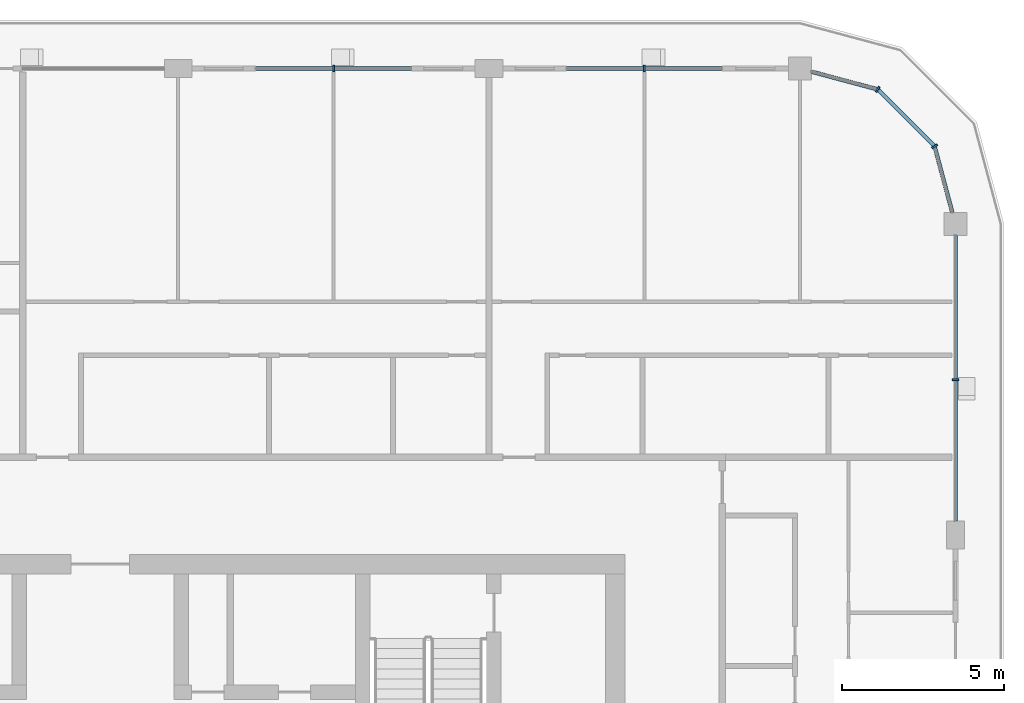
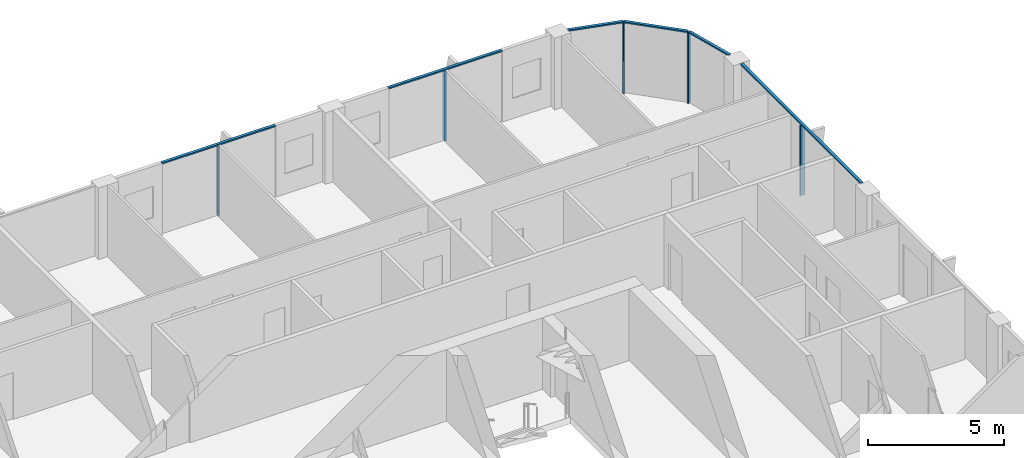
# One storey, part 6 of 22: 11 members, 4 elements without a shape of their own.
"""IFC4 building model written with IfcOpenShell, lengths in metres."""

from ifc_helpers import new_model, si_unit, direction, frame, origin, origin_2d, place, context, subcontext, project, spatial, rectangle, extrude, material, layer, layer_set, material_profile, profile_set, type_object, element, aggregate, save


model = new_model("IFC4")

# Units and contexts
model_context = context("Model", 3, precision=1e-05, world=origin(), true_north=direction((0.0, 1.0)))
body_context = subcontext(model_context, "Body", "Model", "MODEL_VIEW")
ifc_project = project(units=[si_unit("LENGTHUNIT", "METRE"), si_unit("AREAUNIT", "SQUARE_METRE"), si_unit("VOLUMEUNIT", "CUBIC_METRE"), si_unit("PLANEANGLEUNIT", "RADIAN"), si_unit("MASSUNIT", "GRAM", prefix="KILO")], contexts=[model_context])

# Site, building, storey
site_placement = place(None, origin())
site = spatial("IfcSite", under=ifc_project, at=site_placement, CompositionType="ELEMENT")
building_placement = place(site_placement, origin())
building = spatial("IfcBuilding", under=site, at=building_placement, Name="Madar Terraces", CompositionType="ELEMENT")
storey_placement = place(building_placement, frame((0.0, 0.0, 256.199951171875)))
storey = spatial("IfcBuildingStorey", under=building, at=storey_placement, Name="L67", CompositionType="ELEMENT", Elevation=256.199951171875)

# Curtain wall, member
ifc_material_1 = material(Name="Glass, ceramic frit dark grey, with black aluminium frame", Category="aluminium")
ifc_layer = layer(ifc_material_1, 0.199951171875)
ifc_layer_set = layer_set([ifc_layer], Name="Facade curtain wall, fritted glass")
curtain_wall_type = type_object("IfcCurtainWallType", Name="Facade curtain wall, fritted glass", PredefinedType="NOTDEFINED", material=ifc_layer_set)
curtain_wall_1_placement = place(storey_placement, origin())
curtain_wall_1 = element("IfcCurtainWall", 1, at=curtain_wall_1_placement, inside=storey, type_object=curtain_wall_type, Name="Outer skin curtain wall east bay 4", PredefinedType="NOTDEFINED")
ifc_material_2 = material(Name="Aluminium, black anodised", Category="aluminium")
ifc_material_profile_1 = material_profile(ifc_material_2, rectangle(XDim=0.199951171875, YDim=0.06005859375, at=origin_2d()), Name="Facade mullion 60x200")
ifc_profile_set_1 = profile_set([ifc_material_profile_1], Name="Aluminium, black anodised")
member_type_1 = type_object("IfcMemberType", Name="Facade mullion 60x200", PredefinedType="MULLION", material=ifc_profile_set_1)
member_1_placement = place(storey_placement, frame((57.60009765625, 43.199951171875, 0.0), z_axis=(0.0, 0.0, 1.0), x_axis=(-1.0, 0.0, 0.0)))
member_1 = element("IfcMember", 2, at=member_1_placement, type_object=member_type_1, Name="Mullion 1", PredefinedType="MULLION", context=body_context, shape_type="SweptSolid", body=[
    extrude(rectangle(XDim=0.199951171875, YDim=0.06005859375, at=origin_2d()), origin(), (0.0, 0.0, 1.0), 3.14013671875),
])

curtain_wall_2_placement = place(storey_placement, origin())
curtain_wall_2 = element("IfcCurtainWall", 3, at=curtain_wall_2_placement, inside=storey, type_object=curtain_wall_type, Name="Outer skin curtain wall north bay 1", PredefinedType="NOTDEFINED")
member_2_placement = place(storey_placement, frame((48.0, 52.800048828125, 0.0), z_axis=(0.0, 0.0, 1.0), x_axis=(0.0, -1.0, 0.0)))
member_2 = element("IfcMember", 4, at=member_2_placement, type_object=member_type_1, Name="Mullion 1", PredefinedType="MULLION", context=body_context, shape_type="SweptSolid", body=[
    extrude(rectangle(XDim=0.199951171875, YDim=0.06005859375, at=origin_2d()), origin(), (0.0, 0.0, 1.0), 3.14013671875),
])

curtain_wall_3_placement = place(storey_placement, origin())
curtain_wall_3 = element("IfcCurtainWall", 5, at=curtain_wall_3_placement, inside=storey, type_object=curtain_wall_type, Name="Outer skin curtain wall north bay 2", PredefinedType="NOTDEFINED")
member_3_placement = place(storey_placement, frame((38.39990234375, 52.800048828125, 0.0), z_axis=(0.0, 0.0, 1.0), x_axis=(0.0, -1.0, 0.0)))
member_3 = element("IfcMember", 6, at=member_3_placement, type_object=member_type_1, Name="Mullion 1", PredefinedType="MULLION", context=body_context, shape_type="SweptSolid", body=[
    extrude(rectangle(XDim=0.199951171875, YDim=0.06005859375, at=origin_2d()), origin(), (0.0, 0.0, 1.0), 3.14013671875),
])

# Curtain wall, members
curtain_wall_4_placement = place(storey_placement, origin())
curtain_wall_4 = element("IfcCurtainWall", 7, at=curtain_wall_4_placement, inside=storey, type_object=curtain_wall_type, Name="Outer skin curtain wall north-east corner", PredefinedType="NOTDEFINED")
member_4_placement = place(storey_placement, frame((56.95703125, 50.39990234375, 0.0), z_axis=(0.0, 0.0, 1.0), x_axis=(-0.866025409797, -0.499999989586, 0.0)))
member_4 = element("IfcMember", 8, at=member_4_placement, type_object=member_type_1, Name="Mullion 1", PredefinedType="MULLION", context=body_context, shape_type="SweptSolid", body=[
    extrude(rectangle(XDim=0.199951171875, YDim=0.06005859375, at=origin_2d()), origin(), (0.0, 0.0, 1.0), 3.14013671875),
])
member_5_placement = place(storey_placement, frame((55.199951171875, 52.156982421875, 0.0), z_axis=(0.0, 0.0, 1.0), x_axis=(-0.499999989586, -0.866025409797, 0.0)))
member_5 = element("IfcMember", 9, at=member_5_placement, type_object=member_type_1, Name="Mullion 2", PredefinedType="MULLION", context=body_context, shape_type="SweptSolid", body=[
    extrude(rectangle(XDim=0.199951171875, YDim=0.06005859375, at=origin_2d()), origin(), (0.0, 0.0, 1.0), 3.14013671875),
])

# Member
ifc_material_3 = material(Name="Aluminium, black anodised", Category="aluminium")
ifc_material_profile_2 = material_profile(ifc_material_3, rectangle(XDim=0.1201171875, YDim=0.06005859375, at=origin_2d()), Name="Facade transom 60x120")
ifc_profile_set_2 = profile_set([ifc_material_profile_2], Name="Aluminium, black anodised")
member_type_2 = type_object("IfcMemberType", Name="Facade transom 60x120", PredefinedType="USERDEFINED", material=ifc_profile_set_2)
member_6_placement = place(storey_placement, frame((57.60009765625, 38.824951171875, 3.170166015625), z_axis=(0.0, 1.0, 0.0), x_axis=(-1.0, 0.0, 0.0)))
member_6 = element("IfcMember", 10, at=member_6_placement, type_object=member_type_2, Name="Transom 1", ObjectType="TRANSOM", PredefinedType="USERDEFINED", context=body_context, shape_type="SweptSolid", body=[
    extrude(rectangle(XDim=0.1201171875, YDim=0.06005859375, at=origin_2d()), origin(), (0.0, 0.0, 1.0), 8.824951171875),
])

aggregate(curtain_wall_1, [member_1, member_6])

member_7_placement = place(storey_placement, frame((50.39990234375, 52.800048828125, 3.170166015625), z_axis=(-1.0, 0.0, 0.0), x_axis=(0.0, -1.0, 0.0)))
member_7 = element("IfcMember", 11, at=member_7_placement, type_object=member_type_2, Name="Transom 1", ObjectType="TRANSOM", PredefinedType="USERDEFINED", context=body_context, shape_type="SweptSolid", body=[
    extrude(rectangle(XDim=0.1201171875, YDim=0.06005859375, at=origin_2d()), origin(), (0.0, 0.0, 1.0), 4.7998046875),
])

aggregate(curtain_wall_2, [member_2, member_7])

member_8_placement = place(storey_placement, frame((40.800048828125, 52.800048828125, 3.170166015625), z_axis=(-1.0, 0.0, 0.0), x_axis=(0.0, -1.0, 0.0)))
member_8 = element("IfcMember", 12, at=member_8_placement, type_object=member_type_2, Name="Transom 1", ObjectType="TRANSOM", PredefinedType="USERDEFINED", context=body_context, shape_type="SweptSolid", body=[
    extrude(rectangle(XDim=0.1201171875, YDim=0.06005859375, at=origin_2d()), origin(), (0.0, 0.0, 1.0), 4.800048828125),
])

aggregate(curtain_wall_3, [member_3, member_8])

member_9_placement = place(storey_placement, frame((57.506103515625, 48.35009765625, 3.170166015625), z_axis=(-0.258809963731, 0.965928259589, 0.0), x_axis=(-0.965928259589, -0.258809963731, 0.0)))
member_9 = element("IfcMember", 13, at=member_9_placement, type_object=member_type_2, Name="Transom 1", ObjectType="TRANSOM", PredefinedType="USERDEFINED", context=body_context, shape_type="SweptSolid", body=[
    extrude(rectangle(XDim=0.1201171875, YDim=0.06005859375, at=origin_2d()), origin(), (0.0, 0.0, 1.0), 2.09228515625),
])

member_10_placement = place(storey_placement, frame((56.935791015625, 50.421142578125, 3.170166015625), z_axis=(-0.707106781187, 0.707106781187, 0.0), x_axis=(-0.707106781187, -0.707106781187, 0.0)))
member_10 = element("IfcMember", 14, at=member_10_placement, type_object=member_type_2, Name="Transom 2", ObjectType="TRANSOM", PredefinedType="USERDEFINED", context=body_context, shape_type="SweptSolid", body=[
    extrude(rectangle(XDim=0.1201171875, YDim=0.06005859375, at=origin_2d()), origin(), (0.0, 0.0, 1.0), 2.4248046875),
])

member_11_placement = place(storey_placement, frame((55.171142578125, 52.164794921875, 3.170166015625), z_axis=(-0.965936074212, 0.258780796304, 0.0), x_axis=(-0.258780796304, -0.965936074212, 0.0)))
member_11 = element("IfcMember", 15, at=member_11_placement, type_object=member_type_2, Name="Transom 3", ObjectType="TRANSOM", PredefinedType="USERDEFINED", context=body_context, shape_type="SweptSolid", body=[
    extrude(rectangle(XDim=0.1201171875, YDim=0.06005859375, at=origin_2d()), origin(), (0.0, 0.0, 1.0), 2.092529296875),
])

aggregate(curtain_wall_4, [member_4, member_9, member_5, member_10, member_11])

save(model, "model.ifc")
